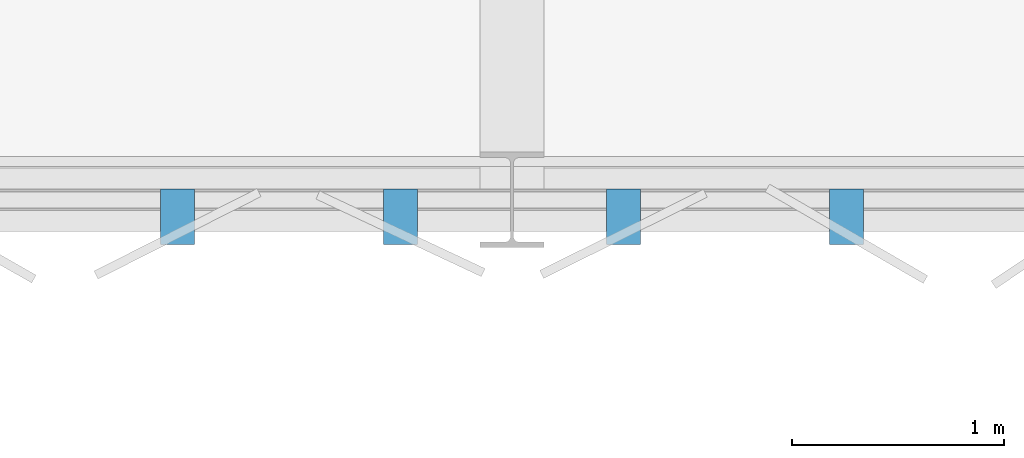
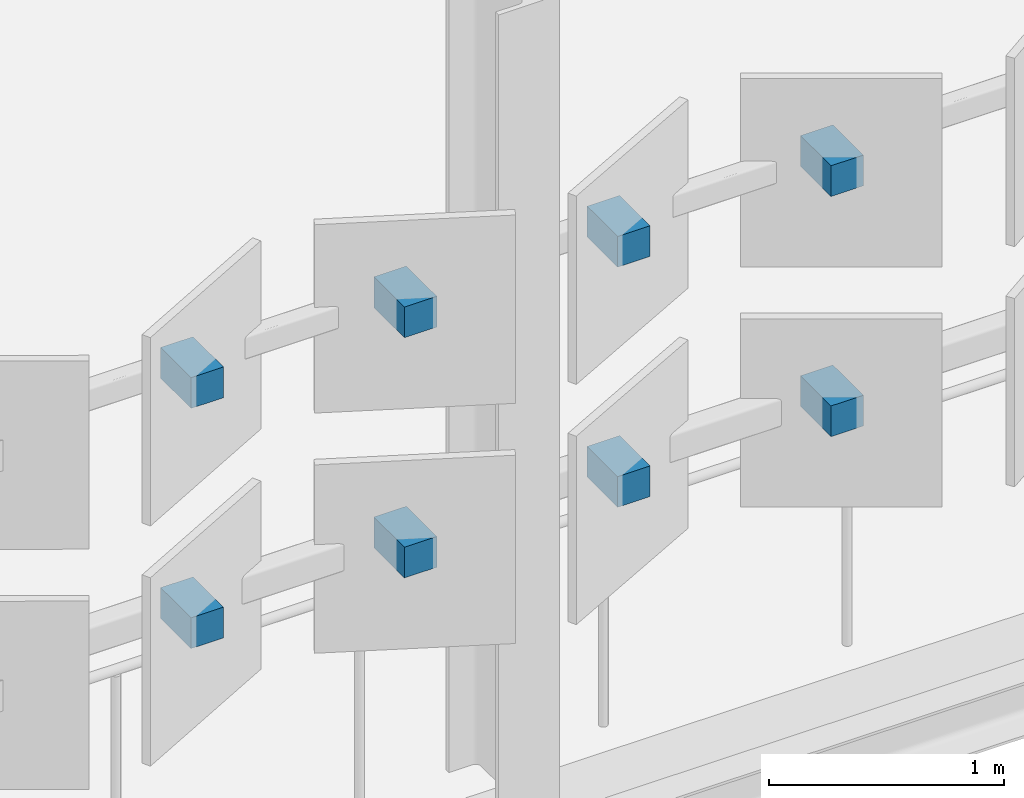
# One storey, part 58 of 69: 8 discrete accessories.
"""IFC4 building model written with IfcOpenShell, lengths in metres."""

from ifc_helpers import new_model, si_unit, direction, frame, origin, origin_2d, place, context, subcontext, project, spatial, rectangle, extrude, material, type_object, element, save


model = new_model("IFC4")

# Units and contexts
model_context = context("Model", 3, precision=1e-05, world=origin(), true_north=direction((0.0, 1.0)))
body_context = subcontext(model_context, "Body", "Model", "MODEL_VIEW")
ifc_project = project(units=[si_unit("LENGTHUNIT", "METRE"), si_unit("AREAUNIT", "SQUARE_METRE"), si_unit("VOLUMEUNIT", "CUBIC_METRE"), si_unit("PLANEANGLEUNIT", "RADIAN"), si_unit("MASSUNIT", "GRAM", prefix="KILO")], contexts=[model_context])

# Site, building, storey
site_placement = place(None, origin())
site = spatial("IfcSite", under=ifc_project, at=site_placement, CompositionType="ELEMENT")
building_placement = place(site_placement, origin())
building = spatial("IfcBuilding", under=site, at=building_placement, Name="Qalvenar Corner Mobility Hub", CompositionType="ELEMENT")
storey_placement = place(building_placement, frame((0.0, 0.0, 13.199951171875)))
storey = spatial("IfcBuildingStorey", under=building, at=storey_placement, Name="L03", CompositionType="ELEMENT", Elevation=13.199951171875)

# Discrete accessories
ifc_material = material(Name="Steel S355", Category="steel")
discrete_accessory_type = type_object("IfcDiscreteAccessoryType", Name="ACC-HINGE-BRK", PredefinedType="BRACKET", material=ifc_material)
for number, where, z_axis, x_axis, name in (
    (1, (124.425048828125, 67.1201171875, 1.419921875), (0.0, 0.0, 1.0), (1.0, 0.0, 0.0), "Panel Hinge Bracket BK-L03-0829"),
    (2, (124.425048828125, 67.1201171875, 2.669921875), (0.0, 0.0, 1.0), (1.0, 0.0, 0.0), "Panel Hinge Bracket BK-L03-0830"),
    (3, (125.47509765625, 67.1201171875, 1.419921875), (0.0, 0.0, 1.0), (1.0, 0.0, 0.0), "Panel Hinge Bracket BK-L03-0831"),
    (4, (125.47509765625, 67.1201171875, 2.669921875), (0.0, 0.0, 1.0), (1.0, 0.0, 0.0), "Panel Hinge Bracket BK-L03-0832"),
    (5, (126.52490234375, 67.1201171875, 1.419921875), (0.0, 0.0, 1.0), (1.0, 0.0, 0.0), "Panel Hinge Bracket BK-L03-0833"),
    (6, (126.52490234375, 67.1201171875, 2.669921875), (0.0, 0.0, 1.0), (1.0, 0.0, 0.0), "Panel Hinge Bracket BK-L03-0834"),
    (7, (127.574951171875, 67.1201171875, 1.419921875), (0.0, 0.0, 1.0), (1.0, 0.0, 0.0), "Panel Hinge Bracket BK-L03-0835"),
    (8, (127.574951171875, 67.1201171875, 2.669921875), (0.0, 0.0, 1.0), (1.0, 0.0, 0.0), "Panel Hinge Bracket BK-L03-0836"),
):
    element("IfcDiscreteAccessory", number, at=place(storey_placement, frame(where, z_axis=z_axis, x_axis=x_axis)), inside=storey, type_object=discrete_accessory_type, Name=name, PredefinedType="BRACKET", context=body_context, shape_type="SweptSolid", body=[
        extrude(rectangle(XDim=0.159912109375, YDim=0.260009765625, at=origin_2d()), origin(), (0.0, 0.0, 1.0), 0.159912109375),
    ])

save(model, "model.ifc")
